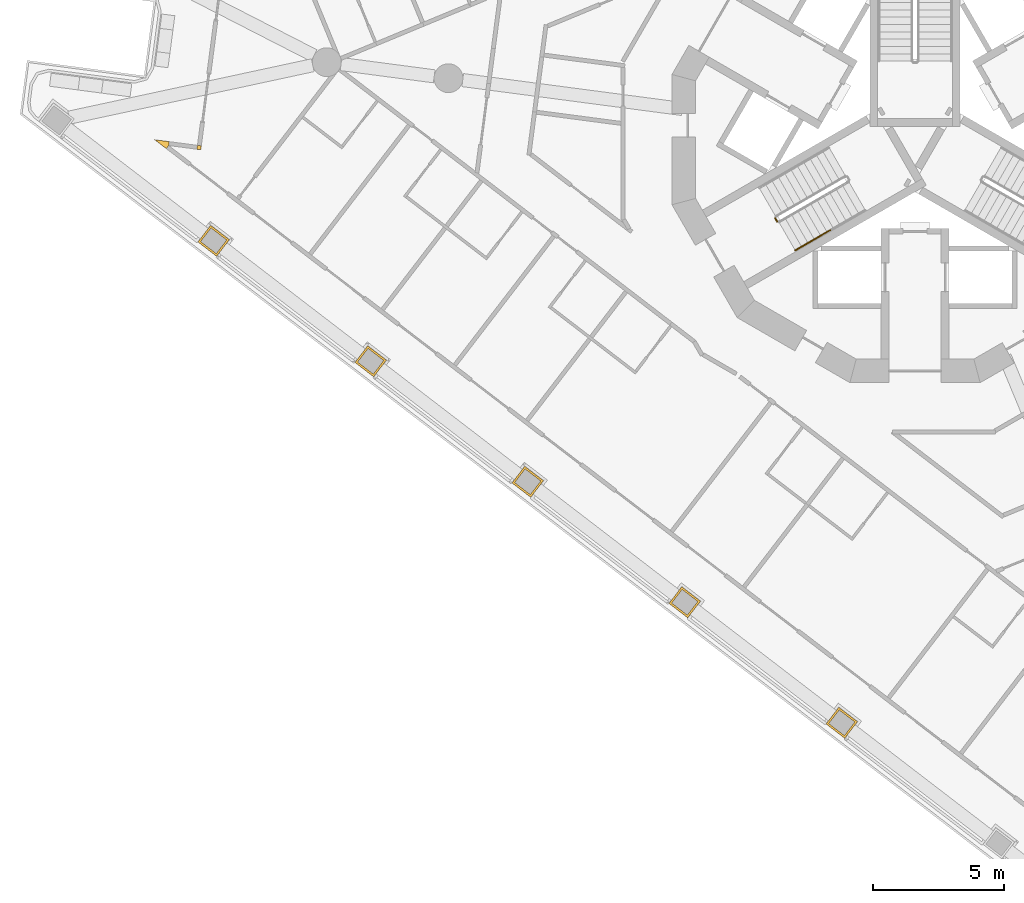
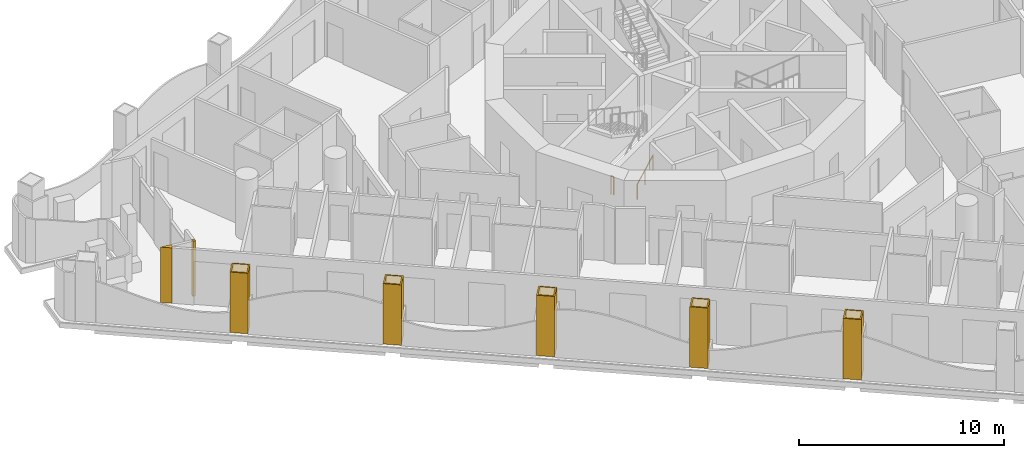
# One storey, part 11 of 17: 7 coverings, 2 railings.
"""IFC4 building model written with IfcOpenShell, lengths in metres."""

from ifc_helpers import new_model, si_unit, direction, frame, origin, origin_2d, place, context, subcontext, project, spatial, polyline, circle, outline, extrude, material, layer, layer_set, type_object, element, save


model = new_model("IFC4")

# Units and contexts
model_context = context("Model", 3, precision=1e-05, world=origin(), true_north=direction((0.0, 1.0)))
body_context = subcontext(model_context, "Body", "Model", "MODEL_VIEW")
ifc_project = project(units=[si_unit("LENGTHUNIT", "METRE"), si_unit("AREAUNIT", "SQUARE_METRE"), si_unit("VOLUMEUNIT", "CUBIC_METRE"), si_unit("PLANEANGLEUNIT", "RADIAN"), si_unit("MASSUNIT", "GRAM", prefix="KILO")], contexts=[model_context])

# Site, building, storey
site_placement = place(None, origin())
site = spatial("IfcSite", under=ifc_project, at=site_placement, CompositionType="ELEMENT")
building_placement = place(site_placement, origin())
building = spatial("IfcBuilding", under=site, at=building_placement, Name="Trine Commons Tower", CompositionType="ELEMENT")
storey_placement = place(building_placement, frame((0.0, 0.0, 135.0)))
storey = spatial("IfcBuildingStorey", under=building, at=storey_placement, Name="L34", CompositionType="ELEMENT", Elevation=135.0)

# Coverings
ifc_material_1 = material(Name="Aluminium-framed insulated wall panel", Category="aluminium")
ifc_layer_1 = layer(ifc_material_1, 0.14990234375)
ifc_layer_set_1 = layer_set([ifc_layer_1], Name="Aluminium-framed insulated wall panel")
covering_type_1 = type_object("IfcCoveringType", Name="Glazing corner post, aluminium", PredefinedType="CLADDING", material=ifc_layer_set_1)
covering_1_placement = place(storey_placement, origin())
element("IfcCovering", 1, at=covering_1_placement, inside=storey, type_object=covering_type_1, Name="Glazing corner post 4-01", PredefinedType="CLADDING", context=body_context, shape_type="SweptSolid", body=[
    extrude(outline(polyline([(51.43359375, 62.15576171875), (51.52490234375, 62.27490234375), (51.54443359375, 62.423583984375), (50.989501953125, 62.49658203125), (51.43359375, 62.15576171875)])), origin(), (0.0, 0.0, 1.0), 3.300048828125),
])
covering_2_placement = place(storey_placement, origin())
element("IfcCovering", 2, at=covering_2_placement, inside=storey, type_object=covering_type_1, Name="Glazing corner post 4-02", PredefinedType="CLADDING", context=body_context, shape_type="SweptSolid", body=[
    extrude(outline(polyline([(52.601318359375, 62.133056640625), (52.75, 62.113525390625), (52.76953125, 62.26220703125), (52.620849609375, 62.28173828125), (52.601318359375, 62.133056640625)])), origin(), (0.0, 0.0, 1.0), 3.300048828125),
])
ifc_material_2 = material(Name="Limestone, honed", Category="masonry")
ifc_layer_2 = layer(ifc_material_2, 0.074951171875)
ifc_layer_set_2 = layer_set([ifc_layer_2], Name="Limestone, honed")
covering_type_2 = type_object("IfcCoveringType", Name="Limestone column cladding 75", PredefinedType="CLADDING", material=ifc_layer_set_2)
covering_3_placement = place(storey_placement, origin())
element("IfcCovering", 3, at=covering_3_placement, inside=storey, type_object=covering_type_2, Name="Limestone pier cladding 4-03", PredefinedType="CLADDING", context=body_context, shape_type="SweptSolid", body=[
    extrude(outline(polyline([(77.092041015625, 40.84130859375), (76.60498046875, 40.206787109375), (77.319091796875, 39.65869140625), (77.805908203125, 40.29345703125), (77.092041015625, 40.84130859375)]), holes=[polyline([(77.105712890625, 40.736083984375), (76.710205078125, 40.220458984375), (77.30517578125, 39.763916015625), (77.700927734375, 40.27978515625), (77.105712890625, 40.736083984375)])]), origin(), (0.0, 0.0, 1.0), 3.60009765625),
])
covering_4_placement = place(storey_placement, origin())
element("IfcCovering", 4, at=covering_4_placement, inside=storey, type_object=covering_type_2, Name="Limestone pier cladding 4-04", PredefinedType="CLADDING", context=body_context, shape_type="SweptSolid", body=[
    extrude(outline(polyline([(71.1005859375, 45.438720703125), (70.61376953125, 44.803955078125), (71.32763671875, 44.256103515625), (71.814697265625, 44.890869140625), (71.1005859375, 45.438720703125)]), holes=[polyline([(71.114501953125, 45.33349609375), (70.71875, 44.81787109375), (71.31396484375, 44.361328125), (71.709716796875, 44.876953125), (71.114501953125, 45.33349609375)])]), origin(), (0.0, 0.0, 1.0), 3.60009765625),
])
covering_5_placement = place(storey_placement, origin())
element("IfcCovering", 5, at=covering_5_placement, inside=storey, type_object=covering_type_2, Name="Limestone pier cladding 4-05", PredefinedType="CLADDING", context=body_context, shape_type="SweptSolid", body=[
    extrude(outline(polyline([(65.109375, 50.035888671875), (64.622314453125, 49.4013671875), (65.336181640625, 48.853515625), (65.8232421875, 49.488037109375), (65.109375, 50.035888671875)]), holes=[polyline([(65.123046875, 49.930908203125), (64.727294921875, 49.4150390625), (65.322509765625, 48.95849609375), (65.71826171875, 49.474365234375), (65.123046875, 49.930908203125)])]), origin(), (0.0, 0.0, 1.0), 3.60009765625),
])
covering_6_placement = place(storey_placement, origin())
element("IfcCovering", 6, at=covering_6_placement, inside=storey, type_object=covering_type_2, Name="Limestone pier cladding 4-06", PredefinedType="CLADDING", context=body_context, shape_type="SweptSolid", body=[
    extrude(outline(polyline([(59.117919921875, 54.63330078125), (58.631103515625, 53.998779296875), (59.344970703125, 53.45068359375), (59.83203125, 54.08544921875), (59.117919921875, 54.63330078125)]), holes=[polyline([(59.1318359375, 54.5283203125), (58.736083984375, 54.012451171875), (59.331298828125, 53.555908203125), (59.726806640625, 54.07177734375), (59.1318359375, 54.5283203125)])]), origin(), (0.0, 0.0, 1.0), 3.60009765625),
])
covering_7_placement = place(storey_placement, origin())
element("IfcCovering", 7, at=covering_7_placement, inside=storey, type_object=covering_type_2, Name="Limestone pier cladding 4-07", PredefinedType="CLADDING", context=body_context, shape_type="SweptSolid", body=[
    extrude(outline(polyline([(53.126708984375, 59.230712890625), (52.6396484375, 58.595947265625), (53.353515625, 58.048095703125), (53.840576171875, 58.682861328125), (53.126708984375, 59.230712890625)]), holes=[polyline([(53.140380859375, 59.12548828125), (52.74462890625, 58.60986328125), (53.33984375, 58.1533203125), (53.735595703125, 58.6689453125), (53.140380859375, 59.12548828125)])]), origin(), (0.0, 0.0, 1.0), 3.60009765625),
])

# Railings
ifc_material_3 = material(Name="Stainless steel balustrade", Category="steel")
railing_type_1 = type_object("IfcRailingType", Name="Stair guard, steel balustrade 1100", PredefinedType="GUARDRAIL", material=ifc_material_3)
railing_1_placement = place(storey_placement, frame((74.73681640625, 59.374755859375, 0.0)))
element("IfcRailing", 8, at=railing_1_placement, inside=storey, type_object=railing_type_1, Name="L34 ST2B stair guard 4", PredefinedType="GUARDRAIL", context=body_context, shape_type="SweptSolid", body=[
    extrude(circle(Radius=0.02392578125, at=origin_2d()), frame((0.0, 0.0, 1.076171875), z_axis=(-0.499816412211, 0.866131372301, 0.0), x_axis=(-0.866131372301, -0.499816412211, 0.0)), (0.0, 0.0, 1.0), 0.14990234375),
    extrude(circle(Radius=0.02099609375, at=origin_2d()), origin(), (0.0, 0.0, 1.0), 1.052001953125),
    extrude(circle(Radius=0.02099609375, at=origin_2d()), frame((-0.074951171875, 0.1298828125, 0.0)), (0.0, 0.0, 1.0), 1.052001953125),
])
ifc_material_4 = material(Name="Stainless steel handrail", Category="steel")
railing_type_2 = type_object("IfcRailingType", Name="Stair handrail, steel 900", PredefinedType="HANDRAIL", material=ifc_material_4)
railing_2_placement = place(storey_placement, frame((75.43017578125, 58.27392578125, 0.14990234375)))
element("IfcRailing", 9, at=railing_2_placement, inside=storey, type_object=railing_type_2, Name="L34 ST2B stair handrail 1", PredefinedType="HANDRAIL", context=body_context, shape_type="SweptSolid", body=[
    extrude(circle(Radius=0.02099609375, at=origin_2d()), frame((0.0, 0.0, 0.87890625), z_axis=(0.763354580307, 0.440713956853, 0.472293333596), x_axis=(-0.499992328818, 0.866029832698, 0.0)), (0.0, 0.0, 1.0), 1.747314453125),
    extrude(circle(Radius=0.01513671875, at=origin_2d()), origin(), (0.0, 0.0, 1.0), 0.85791015625),
    extrude(circle(Radius=0.01513671875, at=origin_2d()), frame((0.6669921875, 0.385009765625, 0.41259765625)), (0.0, 0.0, 1.0), 0.85791015625),
    extrude(circle(Radius=0.01513671875, at=origin_2d()), frame((1.333740234375, 0.77001953125, 0.8251953125)), (0.0, 0.0, 1.0), 0.85791015625),
])

save(model, "model.ifc")
